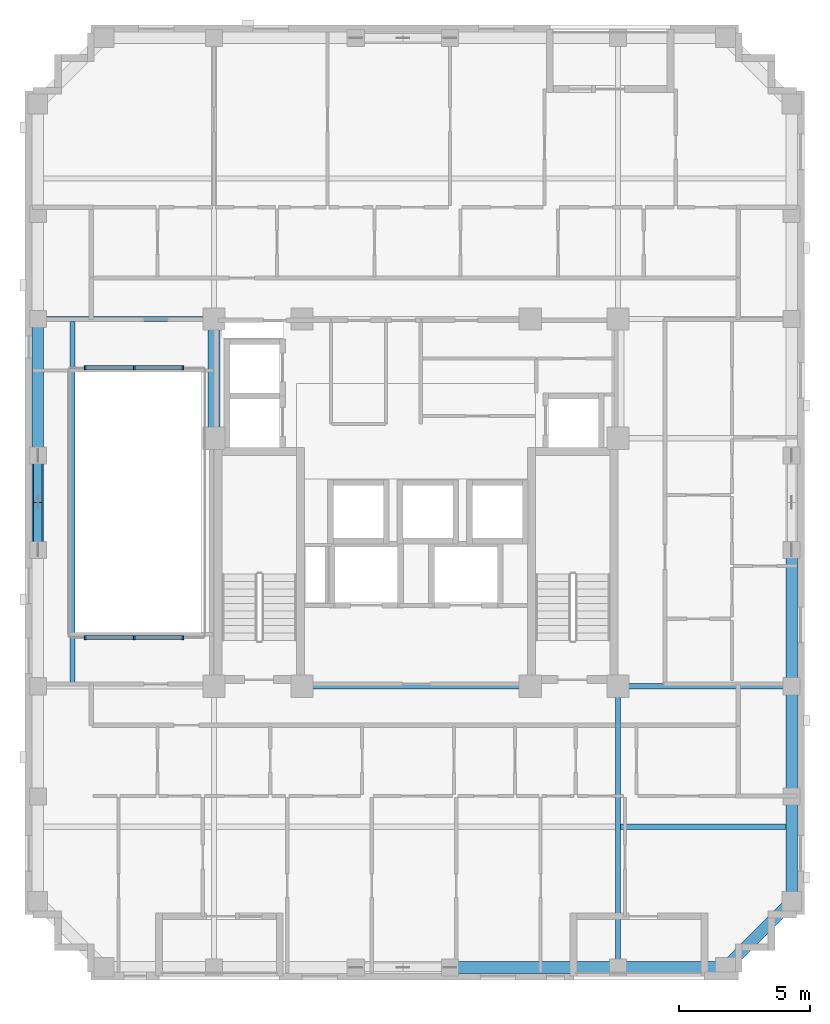
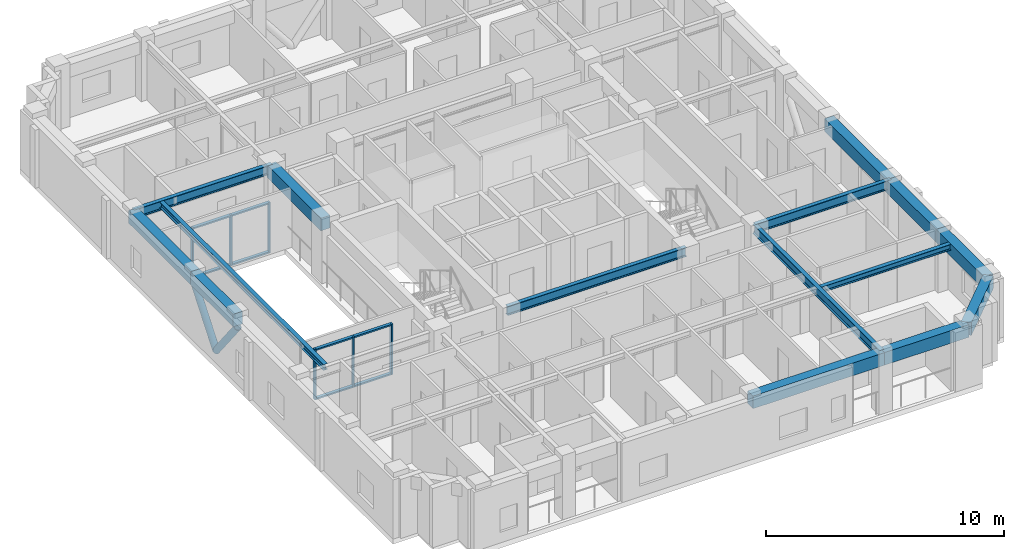
# One storey, part 2 of 13: 16 members, 15 beams, 2 elements without a shape of their own.
"""IFC4 building model written with IfcOpenShell, lengths in metres."""

import ifcopenshell
import ifcopenshell.guid

model = None  # the IFC model being written
_history = None  # IfcOwnerHistory: only IFC2X3 demands one
_inside = {}  # id of a spatial element -> (the spatial element, [elements in it])
_under = {}  # id of a project, library or spatial element -> (it, [spatial elements below it])
_declared = {}  # id of a project -> (the project, [libraries it declares])
_typed = {}  # id of a type object -> (the type object, [elements of that type])
_made_of = {}  # id of a material, layer set ... -> (it, [elements and type objects made of it])


def new_model(schema):
    """Start an empty IFC model of exactly this schema.

    Asked for "IFC4X3", IfcOpenShell would pick the latest addendum, in which some entities
    have other attributes; the version numbers below select the first issue.
    IFC2X3 requires an IfcOwnerHistory on every rooted entity: one is made here for all.
    """
    global model, _history
    if schema == "IFC4X3":
        model = ifcopenshell.file(schema_version=(4, 3, 0, 0))
    else:
        model = ifcopenshell.file(schema=schema)
    _inside.clear()
    _under.clear()
    _declared.clear()
    _typed.clear()
    _made_of.clear()
    _history = None
    if model.schema == "IFC2X3":
        org = make("IfcOrganization", Name="unknown")
        user = make(
            "IfcPersonAndOrganization",
            ThePerson=make("IfcPerson", FamilyName="unknown"),
            TheOrganization=org,
        )
        app = make(
            "IfcApplication",
            ApplicationDeveloper=org,
            Version="unknown",
            ApplicationFullName="unknown",
            ApplicationIdentifier="unknown",
        )
        _history = make(
            "IfcOwnerHistory",
            OwningUser=user,
            OwningApplication=app,
            ChangeAction="ADDED",
            CreationDate=0,
        )
    return model


def make(cls, **values):
    """One entity of the class cls with the attributes given. An attribute that is None is left unset."""
    return model.create_entity(
        cls, **{name: value for name, value in values.items() if value is not None}
    )


def rooted(cls, **values):
    """An entity with a GlobalId (a new one), such as an element, a storey or a relation."""
    return make(cls, GlobalId=ifcopenshell.guid.new(), OwnerHistory=_history, **values)


def si_unit(unit_type, name, prefix=None):
    """IfcSIUnit, for example si_unit("LENGTHUNIT", "METRE", prefix="MILLI")."""
    return make("IfcSIUnit", UnitType=unit_type, Prefix=prefix, Name=name)


def derived_unit(unit_type, elements):
    """IfcDerivedUnit: a product of units, each with its exponent."""
    return make(
        "IfcDerivedUnit",
        Elements=[
            make("IfcDerivedUnitElement", Unit=unit, Exponent=power)
            for unit, power in elements
        ],
        UnitType=unit_type,
    )


def assignment(units):
    """IfcUnitAssignment: the units of a project."""
    return None if units is None else make("IfcUnitAssignment", Units=units)


def point(xyz):
    """IfcCartesianPoint."""
    return None if xyz is None else make("IfcCartesianPoint", Coordinates=xyz)


def direction(xyz):
    """IfcDirection."""
    return None if xyz is None else make("IfcDirection", DirectionRatios=xyz)


def frame(location, z_axis=None, x_axis=None):
    """IfcAxis2Placement3D, a coordinate frame: its origin and axes. An axis left out is left unset."""
    return make(
        "IfcAxis2Placement3D",
        Location=point(location),
        Axis=direction(z_axis),
        RefDirection=direction(x_axis),
    )


def frame_2d(location, x_axis=None):
    """IfcAxis2Placement2D, a coordinate frame in the plane: its origin and x axis."""
    return make(
        "IfcAxis2Placement2D", Location=point(location), RefDirection=direction(x_axis)
    )


def origin():
    """The frame at (0, 0, 0) with its axes left unset."""
    return frame((0.0, 0.0, 0.0))


def origin_2d():
    """The frame at (0, 0) in the plane with its x axis left unset."""
    return frame_2d((0.0, 0.0))


def place(relative_to, where):
    """IfcLocalPlacement: puts the frame where relative to a parent placement (None: the world)."""
    return make(
        "IfcLocalPlacement", PlacementRelTo=relative_to, RelativePlacement=where
    )


def context(
    kind, dimensions, precision=None, world=None, true_north=None, identifier=None
):
    """IfcGeometricRepresentationContext, for example the 3D "Model" context."""
    return make(
        "IfcGeometricRepresentationContext",
        ContextIdentifier=identifier,
        ContextType=kind,
        CoordinateSpaceDimension=dimensions,
        Precision=precision,
        WorldCoordinateSystem=world,
        TrueNorth=true_north,
    )


def subcontext(parent, identifier, kind, view, scale=None):
    """IfcGeometricRepresentationSubContext, for example "Body" below "Model"."""
    return make(
        "IfcGeometricRepresentationSubContext",
        ContextIdentifier=identifier,
        ContextType=kind,
        ParentContext=parent,
        TargetScale=scale,
        TargetView=view,
    )


def project(units=None, contexts=None):
    """IfcProject with its units and contexts."""
    return rooted(
        "IfcProject",
        Name="project",
        RepresentationContexts=contexts,
        UnitsInContext=assignment(units),
    )


def spatial(cls, under=None, at=None, **own):
    """A site, building, storey or space (cls), placed at a placement, below another one or the project."""
    s = rooted(cls, ObjectPlacement=at, **own)
    if under is not None:
        _under.setdefault(under.id(), (under, []))[1].append(s)
    return s


def profile(cls, at=None, kind="AREA", **sizes):
    """A parametric profile (cls). Its sizes go by their IFC names, for example OverallWidth=200.0."""
    return make(cls, ProfileType=kind, Position=at, **sizes)


def rectangle(**sizes):
    """IfcRectangleProfileDef."""
    return profile("IfcRectangleProfileDef", **sizes)


def hollow_circle(**sizes):
    """IfcCircleHollowProfileDef."""
    return profile("IfcCircleHollowProfileDef", **sizes)


def i_section(**sizes):
    """IfcIShapeProfileDef."""
    return profile("IfcIShapeProfileDef", **sizes)


def extrude(swept, where, along, depth):
    """IfcExtrudedAreaSolid: the profile swept, set in the frame where, extruded along a direction by depth."""
    return make(
        "IfcExtrudedAreaSolid",
        SweptArea=swept,
        Position=where,
        ExtrudedDirection=direction(along),
        Depth=depth,
    )


def shape(context_of_items, identifier, shape_type, items):
    """IfcShapeRepresentation: the items that make up one representation, for example the "Body"."""
    return make(
        "IfcShapeRepresentation",
        ContextOfItems=context_of_items,
        RepresentationIdentifier=identifier,
        RepresentationType=shape_type,
        Items=items,
    )


def material(Name=None, Category=None):
    """IfcMaterial."""
    return make("IfcMaterial", Name=Name, Category=Category)


def material_profile(
    of_material, cross_section, Name=None, Category=None, Priority=None
):
    """IfcMaterialProfile: a cross section and its material."""
    return make(
        "IfcMaterialProfile",
        Name=Name,
        Material=of_material,
        Profile=cross_section,
        Priority=Priority,
        Category=Category,
    )


def profile_set(profiles, Name=None, composite=None):
    """IfcMaterialProfileSet."""
    return make(
        "IfcMaterialProfileSet",
        Name=Name,
        MaterialProfiles=profiles,
        CompositeProfile=composite,
    )


def made_of(thing, what):
    """Note that an element or type object is made of a material, layer set ...; save() writes the relation."""
    if what is not None:
        _made_of.setdefault(what.id(), (what, []))[1].append(thing)
    return thing


def type_object(cls, material=None, **own):
    """A type object (cls), such as IfcWallType, which elements share."""
    return made_of(rooted(cls, **own), material)


def element(
    cls,
    number,
    at=None,
    inside=None,
    cuts=None,
    type_object=None,
    material=None,
    context=None,
    identifier="Body",
    shape_type=None,
    held_by="IfcProductDefinitionShape",
    body=None,
    shapes=None,
    **own,
):
    """One element of the class cls, such as IfcWall. Its Tag is "e" and its number.

    at: its placement. inside: the storey or other place that contains it. cuts: it is an
    opening in that element (IfcRelVoidsElement). A single representation is given by context,
    identifier, shape_type and body (its items); several are given by shapes. held_by: the class
    of the entity that holds the representations. save() writes the other relations.
    """
    e = rooted(cls, Tag="e%d" % number, ObjectPlacement=at, **own)
    if body is not None:
        shapes = [shape(context, identifier, shape_type, body)]
    if shapes is not None:
        e.Representation = make(held_by, Representations=shapes)
    if inside is not None:
        _inside.setdefault(inside.id(), (inside, []))[1].append(e)
    if cuts is not None:
        rooted(
            "IfcRelVoidsElement", RelatingBuildingElement=cuts, RelatedOpeningElement=e
        )
    if type_object is not None:
        _typed.setdefault(type_object.id(), (type_object, []))[1].append(e)
    return made_of(e, material)


def aggregate(whole, parts):
    """IfcRelAggregates: a whole, such as a stair, and the parts it consists of."""
    return rooted("IfcRelAggregates", RelatingObject=whole, RelatedObjects=parts)


def save(model, path):
    """Write the relations noted so far, then the file.

    IfcRelAggregates (storeys below a building ...), IfcRelContainedInSpatialStructure (elements
    in a storey), IfcRelDefinesByType, IfcRelAssociatesMaterial and IfcRelDeclares: one each for
    every whole, place, type object, material and project.
    """
    for whole, parts in _under.values():
        aggregate(whole, parts)
    for where, things in _inside.values():
        rooted(
            "IfcRelContainedInSpatialStructure",
            RelatedElements=things,
            RelatingStructure=where,
        )
    for kind, things in _typed.values():
        rooted("IfcRelDefinesByType", RelatedObjects=things, RelatingType=kind)
    for what, things in _made_of.values():
        rooted("IfcRelAssociatesMaterial", RelatedObjects=things, RelatingMaterial=what)
    for by, libraries in _declared.values():
        rooted("IfcRelDeclares", RelatingContext=by, RelatedDefinitions=libraries)
    model.write(path)


model = new_model("IFC4")

# Units and contexts
model_context = context("Model", 3, precision=1e-05, world=origin(), true_north=direction((0.0, 1.0)))
body_context = subcontext(model_context, "Body", "Model", "MODEL_VIEW")
ifc_project = project(units=[si_unit("LENGTHUNIT", "METRE"), si_unit("AREAUNIT", "SQUARE_METRE"), si_unit("VOLUMEUNIT", "CUBIC_METRE"), si_unit("PLANEANGLEUNIT", "RADIAN"), si_unit("MASSUNIT", "GRAM", prefix="KILO"), derived_unit("THERMALTRANSMITTANCEUNIT", [(si_unit("MASSUNIT", "GRAM", prefix="KILO"), 1), (si_unit("TIMEUNIT", "SECOND"), -3), (si_unit("THERMODYNAMICTEMPERATUREUNIT", "KELVIN"), -1)])], contexts=[model_context])

# Site, building, storey
site_placement = place(None, origin())
site = spatial("IfcSite", under=ifc_project, at=site_placement, CompositionType="ELEMENT")
building_placement = place(site_placement, origin())
building = spatial("IfcBuilding", under=site, at=building_placement, Name="Korrvale Station Residences", CompositionType="ELEMENT")
storey_placement = place(building_placement, frame((0.0, 0.0, 177.699951171875)))
storey = spatial("IfcBuildingStorey", under=building, at=storey_placement, Name="L51", CompositionType="ELEMENT", Elevation=177.699951171875)

# Beams
ifc_material_1 = material(Name="Steel S355", Category="steel")
ifc_material_profile_1 = material_profile(ifc_material_1, i_section(OverallWidth=0.194091796875, OverallDepth=0.468994140625, WebThickness=0.0126953125, FlangeThickness=0.0205078125, FilletRadius=0.01611328125, at=origin_2d()), Name="W460x106")
ifc_profile_set_1 = profile_set([ifc_material_profile_1], Name="Steel S355")
beam_type_1 = type_object("IfcBeamType", Name="BM-BM-W460x106-S355", PredefinedType="BEAM", material=ifc_profile_set_1)
beam_1_placement = place(storey_placement, frame((33.199951171875, 4.280029296875, 2.8056640625), z_axis=(0.0, 1.0, 0.0), x_axis=(-1.0, 0.0, 0.0)))
element("IfcBeam", 1, at=beam_1_placement, inside=storey, type_object=beam_type_1, Name="L51 Bundled-Tube Web Girder 02", PredefinedType="BEAM", context=body_context, shape_type="SweptSolid", body=[
    extrude(i_section(OverallWidth=0.194091796875, OverallDepth=0.468994140625, WebThickness=0.0126953125, FlangeThickness=0.0205078125, FilletRadius=0.01611328125, at=origin_2d()), origin(), (0.0, 0.0, 1.0), 10.719970703125),
])
beam_2_placement = place(storey_placement, frame((33.199951171875, 15.0, 2.8056640625), z_axis=(1.0, 0.0, 0.0), x_axis=(0.0, 1.0, 0.0)))
element("IfcBeam", 2, at=beam_2_placement, inside=storey, type_object=beam_type_1, Name="L51 Bundled-Tube Web Girder 06", PredefinedType="BEAM", context=body_context, shape_type="SweptSolid", body=[
    extrude(i_section(OverallWidth=0.194091796875, OverallDepth=0.468994140625, WebThickness=0.0126953125, FlangeThickness=0.0205078125, FilletRadius=0.01611328125, at=origin_2d()), origin(), (0.0, 0.0, 1.0), 6.6201171875),
])
beam_3_placement = place(storey_placement, frame((11.080078125, 29.0, 2.8056640625), z_axis=(1.0, 0.0, 0.0), x_axis=(0.0, 1.0, 0.0)))
element("IfcBeam", 3, at=beam_3_placement, inside=storey, type_object=beam_type_1, Name="L51 Bundled-Tube Web Girder 07", PredefinedType="BEAM", context=body_context, shape_type="SweptSolid", body=[
    extrude(i_section(OverallWidth=0.194091796875, OverallDepth=0.468994140625, WebThickness=0.0126953125, FlangeThickness=0.0205078125, FilletRadius=0.01611328125, at=origin_2d()), origin(), (0.0, 0.0, 1.0), 6.719970703125),
])
beam_4_placement = place(storey_placement, frame((21.14990234375, 15.0, 2.8056640625), z_axis=(1.0, 0.0, 0.0), x_axis=(0.0, 1.0, 0.0)))
element("IfcBeam", 4, at=beam_4_placement, inside=storey, type_object=beam_type_1, Name="L51 Bundled-Tube Web Girder 09", PredefinedType="BEAM", context=body_context, shape_type="SweptSolid", body=[
    extrude(i_section(OverallWidth=0.194091796875, OverallDepth=0.468994140625, WebThickness=0.0126953125, FlangeThickness=0.0205078125, FilletRadius=0.01611328125, at=origin_2d()), origin(), (0.0, 0.0, 1.0), 8.7001953125),
])
ifc_material_profile_2 = material_profile(ifc_material_1, i_section(OverallWidth=0.202880859375, OverallDepth=0.302978515625, WebThickness=0.007568359375, FlangeThickness=0.01318359375, FilletRadius=0.014892578125, at=origin_2d()), Name="W310x60")
ifc_profile_set_2 = profile_set([ifc_material_profile_2], Name="Steel S355")
beam_type_2 = type_object("IfcBeamType", Name="BM-JST-W310x60-S355", PredefinedType="JOIST", material=ifc_profile_set_2)
beam_5_placement = place(storey_placement, frame((33.297119140625, 9.639892578125, 2.888427734375), z_axis=(1.0, 0.0, 0.0), x_axis=(0.0, 1.0, 0.0)))
element("IfcBeam", 5, at=beam_5_placement, inside=storey, type_object=beam_type_2, Name="L51 Floor Framing Joist 03", PredefinedType="JOIST", context=body_context, shape_type="SweptSolid", body=[
    extrude(i_section(OverallWidth=0.202880859375, OverallDepth=0.302978515625, WebThickness=0.007568359375, FlangeThickness=0.01318359375, FilletRadius=0.014892578125, at=origin_2d()), origin(), (0.0, 0.0, 1.0), 6.2978515625),
])
beam_6_placement = place(storey_placement, frame((12.39990234375, 15.096923828125, 2.888427734375), z_axis=(0.0, 1.0, 0.0), x_axis=(-1.0, 0.0, 0.0)))
element("IfcBeam", 6, at=beam_6_placement, inside=storey, type_object=beam_type_2, Name="L51 Floor Framing Joist 08", PredefinedType="JOIST", context=body_context, shape_type="SweptSolid", body=[
    extrude(i_section(OverallWidth=0.202880859375, OverallDepth=0.302978515625, WebThickness=0.007568359375, FlangeThickness=0.01318359375, FilletRadius=0.014892578125, at=origin_2d()), origin(), (0.0, 0.0, 1.0), 13.80615234375),
])
ifc_material_2 = material(Name="Concrete C50/60", Category="concrete")
ifc_material_profile_3 = material_profile(ifc_material_2, rectangle(XDim=0.449951171875, YDim=0.64990234375, at=origin_2d()), Name="RCB450x650")
ifc_profile_set_3 = profile_set([ifc_material_profile_3], Name="Concrete C50/60")
beam_type_3 = type_object("IfcBeamType", Name="BM-LNT-RCB450x650-C5060", PredefinedType="LINTEL", material=ifc_profile_set_3)
beam_7_placement = place(storey_placement, frame((17.800048828125, 24.449951171875, 2.715087890625), z_axis=(0.0, 1.0, 0.0), x_axis=(-1.0, 0.0, 0.0)))
element("IfcBeam", 7, at=beam_7_placement, inside=storey, type_object=beam_type_3, Name="L51 Core Coupling Lintel 1", PredefinedType="LINTEL", context=body_context, shape_type="SweptSolid", body=[
    extrude(rectangle(XDim=0.449951171875, YDim=0.64990234375, at=origin_2d()), origin(), (0.0, 0.0, 1.0), 4.550048828125),
])
ifc_material_profile_4 = material_profile(ifc_material_2, rectangle(XDim=0.449951171875, YDim=0.64990234375, at=origin_2d()), Name="RCB450x650")
ifc_profile_set_4 = profile_set([ifc_material_profile_4], Name="Concrete C50/60")
beam_type_4 = type_object("IfcBeamType", Name="BM-SPB-RCB450x650-C5060", PredefinedType="SPANDREL", material=ifc_profile_set_4)
beam_8_placement = place(storey_placement, frame((26.800048828125, 4.280029296875, 2.715087890625), z_axis=(1.0, 0.0, 0.0), x_axis=(0.0, 1.0, 0.0)))
element("IfcBeam", 8, at=beam_8_placement, inside=storey, type_object=beam_type_4, Name="L51 South Tube Spandrel 04", PredefinedType="SPANDREL", context=body_context, shape_type="SweptSolid", body=[
    extrude(rectangle(XDim=0.449951171875, YDim=0.64990234375, at=origin_2d()), origin(), (0.0, 0.0, 1.0), 6.39990234375),
])
beam_9_placement = place(storey_placement, frame((33.199951171875, 4.280029296875, 2.715087890625), z_axis=(1.0, 0.0, 0.0), x_axis=(0.0, 1.0, 0.0)))
element("IfcBeam", 9, at=beam_9_placement, inside=storey, type_object=beam_type_4, Name="L51 South Tube Spandrel 05", PredefinedType="SPANDREL", context=body_context, shape_type="SweptSolid", body=[
    extrude(rectangle(XDim=0.449951171875, YDim=0.64990234375, at=origin_2d()), origin(), (0.0, 0.0, 1.0), 4.10009765625),
])
beam_10_placement = place(storey_placement, frame((11.080078125, 20.199951171875, 2.715087890625), z_axis=(0.0, 1.0, 0.0), x_axis=(-1.0, 0.0, 0.0)))
element("IfcBeam", 10, at=beam_10_placement, inside=storey, type_object=beam_type_4, Name="L51 West Tube Spandrel 14", PredefinedType="SPANDREL", context=body_context, shape_type="SweptSolid", body=[
    extrude(rectangle(XDim=0.449951171875, YDim=0.64990234375, at=origin_2d()), origin(), (0.0, 0.0, 1.0), 3.60009765625),
])
beam_11_placement = place(storey_placement, frame((11.080078125, 23.800048828125, 2.715087890625), z_axis=(0.0, 1.0, 0.0), x_axis=(-1.0, 0.0, 0.0)))
element("IfcBeam", 11, at=beam_11_placement, inside=storey, type_object=beam_type_4, Name="L51 West Tube Spandrel 15", PredefinedType="SPANDREL", context=body_context, shape_type="SweptSolid", body=[
    extrude(rectangle(XDim=0.449951171875, YDim=0.64990234375, at=origin_2d()), origin(), (0.0, 0.0, 1.0), 5.199951171875),
])
beam_12_placement = place(storey_placement, frame((39.820068359375, 6.800048828125, 2.715087890625), z_axis=(0.0, 1.0, 0.0), x_axis=(-1.0, 0.0, 0.0)))
element("IfcBeam", 12, at=beam_12_placement, inside=storey, type_object=beam_type_4, Name="L51 East Tube Spandrel 18", PredefinedType="SPANDREL", context=body_context, shape_type="SweptSolid", body=[
    extrude(rectangle(XDim=0.449951171875, YDim=0.64990234375, at=origin_2d()), origin(), (0.0, 0.0, 1.0), 4.0),
])
beam_13_placement = place(storey_placement, frame((39.820068359375, 10.800048828125, 2.715087890625), z_axis=(0.0, 1.0, 0.0), x_axis=(-1.0, 0.0, 0.0)))
element("IfcBeam", 13, at=beam_13_placement, inside=storey, type_object=beam_type_4, Name="L51 East Tube Spandrel 19", PredefinedType="SPANDREL", context=body_context, shape_type="SweptSolid", body=[
    extrude(rectangle(XDim=0.449951171875, YDim=0.64990234375, at=origin_2d()), origin(), (0.0, 0.0, 1.0), 4.199951171875),
])
beam_14_placement = place(storey_placement, frame((39.820068359375, 15.0, 2.715087890625), z_axis=(0.0, 1.0, 0.0), x_axis=(-1.0, 0.0, 0.0)))
element("IfcBeam", 14, at=beam_14_placement, inside=storey, type_object=beam_type_4, Name="L51 East Tube Spandrel 20", PredefinedType="SPANDREL", context=body_context, shape_type="SweptSolid", body=[
    extrude(rectangle(XDim=0.449951171875, YDim=0.64990234375, at=origin_2d()), origin(), (0.0, 0.0, 1.0), 5.199951171875),
])
beam_15_placement = place(storey_placement, frame((37.300048828125, 4.280029296875, 2.715087890625), z_axis=(0.707106781187, 0.707106781187, 0.0), x_axis=(-0.707106781187, 0.707106781187, 0.0)))
element("IfcBeam", 15, at=beam_15_placement, inside=storey, type_object=beam_type_4, Name="L51 Serrated Corner Spandrel 26", PredefinedType="SPANDREL", context=body_context, shape_type="SweptSolid", body=[
    extrude(rectangle(XDim=0.449951171875, YDim=0.64990234375, at=origin_2d()), origin(), (0.0, 0.0, 1.0), 3.56396484375),
])

# Curtain wall, members
ifc_material_3 = material(Name="Unitised thermally broken aluminium curtain wall with triple low-e IGU", Category="aluminium")
curtain_wall_type = type_object("IfcCurtainWallType", Name="CW-ATR-UPP", PredefinedType="NOTDEFINED", material=ifc_material_3)
curtain_wall_1_placement = place(storey_placement, origin())
curtain_wall_1 = element("IfcCurtainWall", 16, at=curtain_wall_1_placement, inside=storey, type_object=curtain_wall_type, Name="L51 Curtain Wall CW5-RUN-1", PredefinedType="NOTDEFINED")
ifc_material_4 = material(Name="Extruded thermally broken aluminium mullion", Category="aluminium")
member_type_1 = type_object("IfcMemberType", Name="CW-ATR-UPP-M", PredefinedType="MULLION", material=ifc_material_4)
member_1_placement = place(storey_placement, frame((12.887451171875, 16.85009765625, 0.0), z_axis=(0.0, 0.0, 1.0), x_axis=(1.0, 0.0, 0.0)))
member_1 = element("IfcMember", 17, at=member_1_placement, type_object=member_type_1, Name="CW-ATR-UPP Mullion 1", PredefinedType="MULLION", context=body_context, shape_type="SweptSolid", body=[
    extrude(rectangle(XDim=0.074951171875, YDim=0.155029296875, at=origin_2d()), origin(), (0.0, 0.0, 1.0), 2.60009765625),
])
member_2_placement = place(storey_placement, frame((14.75, 16.85009765625, 0.0), z_axis=(0.0, 0.0, 1.0), x_axis=(1.0, 0.0, 0.0)))
member_2 = element("IfcMember", 18, at=member_2_placement, type_object=member_type_1, Name="CW-ATR-UPP Mullion 2", PredefinedType="MULLION", context=body_context, shape_type="SweptSolid", body=[
    extrude(rectangle(XDim=0.074951171875, YDim=0.155029296875, at=origin_2d()), origin(), (0.0, 0.0, 1.0), 2.60009765625),
])
member_3_placement = place(storey_placement, frame((16.612548828125, 16.85009765625, 0.0), z_axis=(0.0, 0.0, 1.0), x_axis=(1.0, 0.0, 0.0)))
member_3 = element("IfcMember", 19, at=member_3_placement, type_object=member_type_1, Name="CW-ATR-UPP Mullion 3", PredefinedType="MULLION", context=body_context, shape_type="SweptSolid", body=[
    extrude(rectangle(XDim=0.074951171875, YDim=0.155029296875, at=origin_2d()), origin(), (0.0, 0.0, 1.0), 2.60009765625),
])

curtain_wall_2_placement = place(storey_placement, origin())
curtain_wall_2 = element("IfcCurtainWall", 20, at=curtain_wall_2_placement, inside=storey, type_object=curtain_wall_type, Name="L51 Curtain Wall CW5-RUN-2", PredefinedType="NOTDEFINED")
member_4_placement = place(storey_placement, frame((12.887451171875, 27.14990234375, 0.0), z_axis=(0.0, 0.0, 1.0), x_axis=(1.0, 0.0, 0.0)))
member_4 = element("IfcMember", 21, at=member_4_placement, type_object=member_type_1, Name="CW-ATR-UPP Mullion 1", PredefinedType="MULLION", context=body_context, shape_type="SweptSolid", body=[
    extrude(rectangle(XDim=0.074951171875, YDim=0.155029296875, at=origin_2d()), origin(), (0.0, 0.0, 1.0), 2.60009765625),
])
member_5_placement = place(storey_placement, frame((14.75, 27.14990234375, 0.0), z_axis=(0.0, 0.0, 1.0), x_axis=(1.0, 0.0, 0.0)))
member_5 = element("IfcMember", 22, at=member_5_placement, type_object=member_type_1, Name="CW-ATR-UPP Mullion 2", PredefinedType="MULLION", context=body_context, shape_type="SweptSolid", body=[
    extrude(rectangle(XDim=0.074951171875, YDim=0.155029296875, at=origin_2d()), origin(), (0.0, 0.0, 1.0), 2.60009765625),
])
member_6_placement = place(storey_placement, frame((16.612548828125, 27.14990234375, 0.0), z_axis=(0.0, 0.0, 1.0), x_axis=(1.0, 0.0, 0.0)))
member_6 = element("IfcMember", 23, at=member_6_placement, type_object=member_type_1, Name="CW-ATR-UPP Mullion 3", PredefinedType="MULLION", context=body_context, shape_type="SweptSolid", body=[
    extrude(rectangle(XDim=0.074951171875, YDim=0.155029296875, at=origin_2d()), origin(), (0.0, 0.0, 1.0), 2.60009765625),
])

# Member
ifc_material_5 = material(Name="Extruded thermally broken aluminium transom", Category="aluminium")
member_type_2 = type_object("IfcMemberType", Name="CW-ATR-UPP-T", PredefinedType="USERDEFINED", material=ifc_material_5)
member_7_placement = place(storey_placement, frame((13.800048828125, 16.85009765625, 0.0), z_axis=(0.0, 0.0, 1.0), x_axis=(1.0, 0.0, 0.0)))
member_7 = element("IfcMember", 24, at=member_7_placement, type_object=member_type_2, Name="CW-ATR-UPP Transom 1-1", ObjectType="TRANSOM", PredefinedType="USERDEFINED", context=body_context, shape_type="SweptSolid", body=[
    extrude(rectangle(XDim=1.824951171875, YDim=0.155029296875, at=origin_2d()), origin(), (0.0, 0.0, 1.0), 0.074951171875),
])

member_8_placement = place(storey_placement, frame((13.800048828125, 16.85009765625, 2.52490234375), z_axis=(0.0, 0.0, 1.0), x_axis=(1.0, 0.0, 0.0)))
member_8 = element("IfcMember", 25, at=member_8_placement, type_object=member_type_2, Name="CW-ATR-UPP Transom 1-2", ObjectType="TRANSOM", PredefinedType="USERDEFINED", context=body_context, shape_type="SweptSolid", body=[
    extrude(rectangle(XDim=1.824951171875, YDim=0.155029296875, at=origin_2d()), origin(), (0.0, 0.0, 1.0), 0.074951171875),
])

member_9_placement = place(storey_placement, frame((15.699951171875, 16.85009765625, 0.0), z_axis=(0.0, 0.0, 1.0), x_axis=(1.0, 0.0, 0.0)))
member_9 = element("IfcMember", 26, at=member_9_placement, type_object=member_type_2, Name="CW-ATR-UPP Transom 2-1", ObjectType="TRANSOM", PredefinedType="USERDEFINED", context=body_context, shape_type="SweptSolid", body=[
    extrude(rectangle(XDim=1.824951171875, YDim=0.155029296875, at=origin_2d()), origin(), (0.0, 0.0, 1.0), 0.074951171875),
])

member_10_placement = place(storey_placement, frame((15.699951171875, 16.85009765625, 2.52490234375), z_axis=(0.0, 0.0, 1.0), x_axis=(1.0, 0.0, 0.0)))
member_10 = element("IfcMember", 27, at=member_10_placement, type_object=member_type_2, Name="CW-ATR-UPP Transom 2-2", ObjectType="TRANSOM", PredefinedType="USERDEFINED", context=body_context, shape_type="SweptSolid", body=[
    extrude(rectangle(XDim=1.824951171875, YDim=0.155029296875, at=origin_2d()), origin(), (0.0, 0.0, 1.0), 0.074951171875),
])

aggregate(curtain_wall_1, [member_1, member_2, member_3, member_7, member_8, member_9, member_10])

member_11_placement = place(storey_placement, frame((13.800048828125, 27.14990234375, 0.0), z_axis=(0.0, 0.0, 1.0), x_axis=(1.0, 0.0, 0.0)))
member_11 = element("IfcMember", 28, at=member_11_placement, type_object=member_type_2, Name="CW-ATR-UPP Transom 1-1", ObjectType="TRANSOM", PredefinedType="USERDEFINED", context=body_context, shape_type="SweptSolid", body=[
    extrude(rectangle(XDim=1.824951171875, YDim=0.155029296875, at=origin_2d()), origin(), (0.0, 0.0, 1.0), 0.074951171875),
])

member_12_placement = place(storey_placement, frame((13.800048828125, 27.14990234375, 2.52490234375), z_axis=(0.0, 0.0, 1.0), x_axis=(1.0, 0.0, 0.0)))
member_12 = element("IfcMember", 29, at=member_12_placement, type_object=member_type_2, Name="CW-ATR-UPP Transom 1-2", ObjectType="TRANSOM", PredefinedType="USERDEFINED", context=body_context, shape_type="SweptSolid", body=[
    extrude(rectangle(XDim=1.824951171875, YDim=0.155029296875, at=origin_2d()), origin(), (0.0, 0.0, 1.0), 0.074951171875),
])

member_13_placement = place(storey_placement, frame((15.699951171875, 27.14990234375, 0.0), z_axis=(0.0, 0.0, 1.0), x_axis=(1.0, 0.0, 0.0)))
member_13 = element("IfcMember", 30, at=member_13_placement, type_object=member_type_2, Name="CW-ATR-UPP Transom 2-1", ObjectType="TRANSOM", PredefinedType="USERDEFINED", context=body_context, shape_type="SweptSolid", body=[
    extrude(rectangle(XDim=1.824951171875, YDim=0.155029296875, at=origin_2d()), origin(), (0.0, 0.0, 1.0), 0.074951171875),
])

member_14_placement = place(storey_placement, frame((15.699951171875, 27.14990234375, 2.52490234375), z_axis=(0.0, 0.0, 1.0), x_axis=(1.0, 0.0, 0.0)))
member_14 = element("IfcMember", 31, at=member_14_placement, type_object=member_type_2, Name="CW-ATR-UPP Transom 2-2", ObjectType="TRANSOM", PredefinedType="USERDEFINED", context=body_context, shape_type="SweptSolid", body=[
    extrude(rectangle(XDim=1.824951171875, YDim=0.155029296875, at=origin_2d()), origin(), (0.0, 0.0, 1.0), 0.074951171875),
])

aggregate(curtain_wall_2, [member_4, member_5, member_6, member_11, member_12, member_13, member_14])

# Members
ifc_material_profile_5 = material_profile(ifc_material_1, hollow_circle(Radius=0.161865234375, WallThickness=0.015869140625, at=origin_2d()), Name="HSS324x16")
ifc_profile_set_5 = profile_set([ifc_material_profile_5], Name="Steel S355")
member_type_3 = type_object("IfcMemberType", Name="MBR-BR-HSS324x16", PredefinedType="BRACE", material=ifc_profile_set_5)
for number, where, z_axis, x_axis, name in (
    (32, (11.080078125, 22.0, 0.02001953125), (0.0, -0.617977009695, 0.786196168579), (1.0, 0.0, 0.0), "L51 W Perimeter Tube Wind Brace 1"),
    (33, (11.080078125, 22.0, 0.02001953125), (0.0, 0.617977009695, 0.786196168579), (-1.0, 0.0, 0.0), "L51 W Perimeter Tube Wind Brace 2"),
):
    element("IfcMember", number, at=place(storey_placement, frame(where, z_axis=z_axis, x_axis=x_axis)), inside=storey, type_object=member_type_3, Name=name, PredefinedType="BRACE", context=body_context, shape_type="SweptSolid", body=[
        extrude(hollow_circle(Radius=0.161865234375, WallThickness=0.015869140625, at=origin_2d()), origin(), (0.0, 0.0, 1.0), 2.912841796875),
    ])

save(model, "model.ifc")
